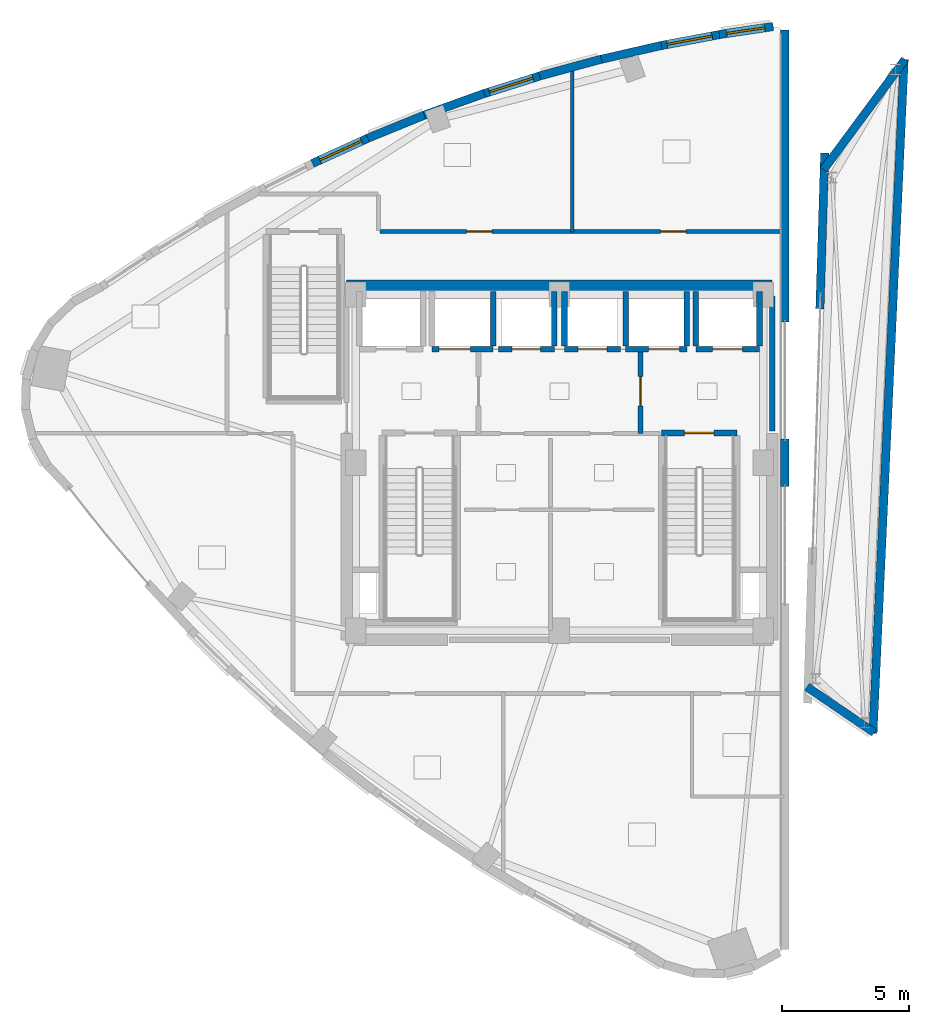
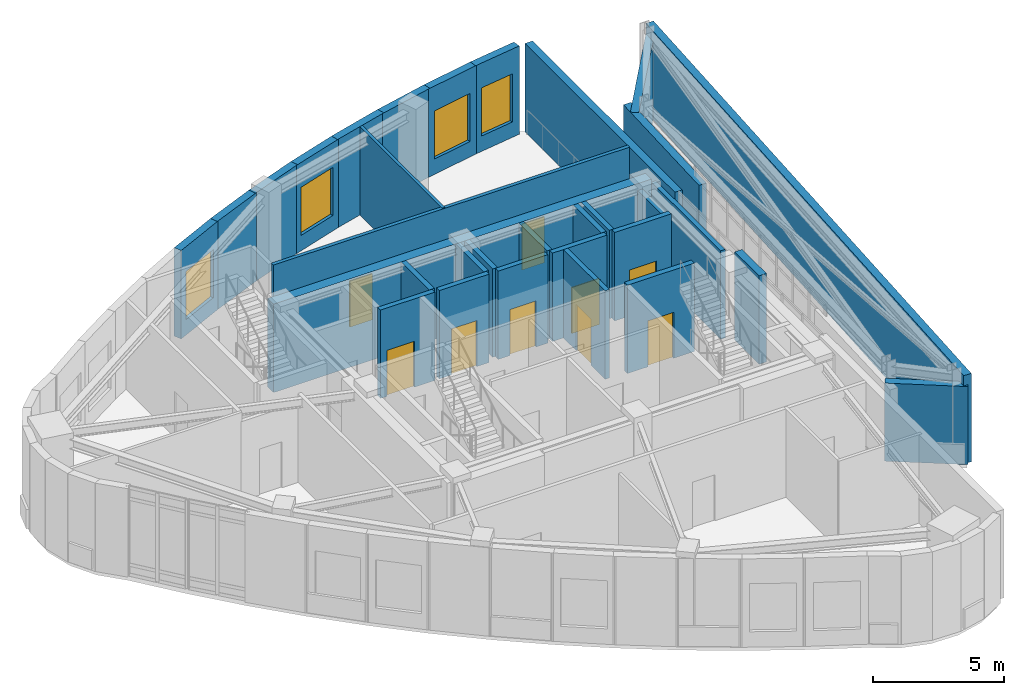
# One storey, part 15 of 19: 32 walls, 9 doors, 4 windows, 13 openings.
"""IFC4 building model written with IfcOpenShell, lengths in metres."""

import ifcopenshell
import ifcopenshell.guid

model = None  # the IFC model being written
_history = None  # IfcOwnerHistory: only IFC2X3 demands one
_inside = {}  # id of a spatial element -> (the spatial element, [elements in it])
_under = {}  # id of a project, library or spatial element -> (it, [spatial elements below it])
_declared = {}  # id of a project -> (the project, [libraries it declares])
_typed = {}  # id of a type object -> (the type object, [elements of that type])
_made_of = {}  # id of a material, layer set ... -> (it, [elements and type objects made of it])


def new_model(schema):
    """Start an empty IFC model of exactly this schema.

    Asked for "IFC4X3", IfcOpenShell would pick the latest addendum, in which some entities
    have other attributes; the version numbers below select the first issue.
    IFC2X3 requires an IfcOwnerHistory on every rooted entity: one is made here for all.
    """
    global model, _history
    if schema == "IFC4X3":
        model = ifcopenshell.file(schema_version=(4, 3, 0, 0))
    else:
        model = ifcopenshell.file(schema=schema)
    _inside.clear()
    _under.clear()
    _declared.clear()
    _typed.clear()
    _made_of.clear()
    _history = None
    if model.schema == "IFC2X3":
        org = make("IfcOrganization", Name="unknown")
        user = make(
            "IfcPersonAndOrganization",
            ThePerson=make("IfcPerson", FamilyName="unknown"),
            TheOrganization=org,
        )
        app = make(
            "IfcApplication",
            ApplicationDeveloper=org,
            Version="unknown",
            ApplicationFullName="unknown",
            ApplicationIdentifier="unknown",
        )
        _history = make(
            "IfcOwnerHistory",
            OwningUser=user,
            OwningApplication=app,
            ChangeAction="ADDED",
            CreationDate=0,
        )
    return model


def make(cls, **values):
    """One entity of the class cls with the attributes given. An attribute that is None is left unset."""
    return model.create_entity(
        cls, **{name: value for name, value in values.items() if value is not None}
    )


def rooted(cls, **values):
    """An entity with a GlobalId (a new one), such as an element, a storey or a relation."""
    return make(cls, GlobalId=ifcopenshell.guid.new(), OwnerHistory=_history, **values)


def si_unit(unit_type, name, prefix=None):
    """IfcSIUnit, for example si_unit("LENGTHUNIT", "METRE", prefix="MILLI")."""
    return make("IfcSIUnit", UnitType=unit_type, Prefix=prefix, Name=name)


def assignment(units):
    """IfcUnitAssignment: the units of a project."""
    return None if units is None else make("IfcUnitAssignment", Units=units)


def point(xyz):
    """IfcCartesianPoint."""
    return None if xyz is None else make("IfcCartesianPoint", Coordinates=xyz)


def direction(xyz):
    """IfcDirection."""
    return None if xyz is None else make("IfcDirection", DirectionRatios=xyz)


def frame(location, z_axis=None, x_axis=None):
    """IfcAxis2Placement3D, a coordinate frame: its origin and axes. An axis left out is left unset."""
    return make(
        "IfcAxis2Placement3D",
        Location=point(location),
        Axis=direction(z_axis),
        RefDirection=direction(x_axis),
    )


def frame_2d(location, x_axis=None):
    """IfcAxis2Placement2D, a coordinate frame in the plane: its origin and x axis."""
    return make(
        "IfcAxis2Placement2D", Location=point(location), RefDirection=direction(x_axis)
    )


def origin():
    """The frame at (0, 0, 0) with its axes left unset."""
    return frame((0.0, 0.0, 0.0))


def place(relative_to, where):
    """IfcLocalPlacement: puts the frame where relative to a parent placement (None: the world)."""
    return make(
        "IfcLocalPlacement", PlacementRelTo=relative_to, RelativePlacement=where
    )


def context(
    kind, dimensions, precision=None, world=None, true_north=None, identifier=None
):
    """IfcGeometricRepresentationContext, for example the 3D "Model" context."""
    return make(
        "IfcGeometricRepresentationContext",
        ContextIdentifier=identifier,
        ContextType=kind,
        CoordinateSpaceDimension=dimensions,
        Precision=precision,
        WorldCoordinateSystem=world,
        TrueNorth=true_north,
    )


def subcontext(parent, identifier, kind, view, scale=None):
    """IfcGeometricRepresentationSubContext, for example "Body" below "Model"."""
    return make(
        "IfcGeometricRepresentationSubContext",
        ContextIdentifier=identifier,
        ContextType=kind,
        ParentContext=parent,
        TargetScale=scale,
        TargetView=view,
    )


def project(units=None, contexts=None):
    """IfcProject with its units and contexts."""
    return rooted(
        "IfcProject",
        Name="project",
        RepresentationContexts=contexts,
        UnitsInContext=assignment(units),
    )


def spatial(cls, under=None, at=None, **own):
    """A site, building, storey or space (cls), placed at a placement, below another one or the project."""
    s = rooted(cls, ObjectPlacement=at, **own)
    if under is not None:
        _under.setdefault(under.id(), (under, []))[1].append(s)
    return s


def profile(cls, at=None, kind="AREA", **sizes):
    """A parametric profile (cls). Its sizes go by their IFC names, for example OverallWidth=200.0."""
    return make(cls, ProfileType=kind, Position=at, **sizes)


def rectangle(**sizes):
    """IfcRectangleProfileDef."""
    return profile("IfcRectangleProfileDef", **sizes)


def extrude(swept, where, along, depth):
    """IfcExtrudedAreaSolid: the profile swept, set in the frame where, extruded along a direction by depth."""
    return make(
        "IfcExtrudedAreaSolid",
        SweptArea=swept,
        Position=where,
        ExtrudedDirection=direction(along),
        Depth=depth,
    )


def shape(context_of_items, identifier, shape_type, items):
    """IfcShapeRepresentation: the items that make up one representation, for example the "Body"."""
    return make(
        "IfcShapeRepresentation",
        ContextOfItems=context_of_items,
        RepresentationIdentifier=identifier,
        RepresentationType=shape_type,
        Items=items,
    )


def material(Name=None, Category=None):
    """IfcMaterial."""
    return make("IfcMaterial", Name=Name, Category=Category)


def layer(
    of_material, thickness, ventilated=None, Name=None, Category=None, Priority=None
):
    """IfcMaterialLayer: one layer of a wall or slab, of a material (None: an air gap)."""
    return make(
        "IfcMaterialLayer",
        Material=of_material,
        LayerThickness=thickness,
        IsVentilated=ventilated,
        Name=Name,
        Category=Category,
        Priority=Priority,
    )


def layer_set(layers, Name=None):
    """IfcMaterialLayerSet."""
    return make("IfcMaterialLayerSet", MaterialLayers=layers, LayerSetName=Name)


def made_of(thing, what):
    """Note that an element or type object is made of a material, layer set ...; save() writes the relation."""
    if what is not None:
        _made_of.setdefault(what.id(), (what, []))[1].append(thing)
    return thing


def type_object(cls, material=None, **own):
    """A type object (cls), such as IfcWallType, which elements share."""
    return made_of(rooted(cls, **own), material)


def element(
    cls,
    number,
    at=None,
    inside=None,
    cuts=None,
    type_object=None,
    material=None,
    context=None,
    identifier="Body",
    shape_type=None,
    held_by="IfcProductDefinitionShape",
    body=None,
    shapes=None,
    **own,
):
    """One element of the class cls, such as IfcWall. Its Tag is "e" and its number.

    at: its placement. inside: the storey or other place that contains it. cuts: it is an
    opening in that element (IfcRelVoidsElement). A single representation is given by context,
    identifier, shape_type and body (its items); several are given by shapes. held_by: the class
    of the entity that holds the representations. save() writes the other relations.
    """
    e = rooted(cls, Tag="e%d" % number, ObjectPlacement=at, **own)
    if body is not None:
        shapes = [shape(context, identifier, shape_type, body)]
    if shapes is not None:
        e.Representation = make(held_by, Representations=shapes)
    if inside is not None:
        _inside.setdefault(inside.id(), (inside, []))[1].append(e)
    if cuts is not None:
        rooted(
            "IfcRelVoidsElement", RelatingBuildingElement=cuts, RelatedOpeningElement=e
        )
    if type_object is not None:
        _typed.setdefault(type_object.id(), (type_object, []))[1].append(e)
    return made_of(e, material)


def fill(opening, filler):
    """IfcRelFillsElement: the door or window that sits in an opening."""
    return rooted(
        "IfcRelFillsElement",
        RelatingOpeningElement=opening,
        RelatedBuildingElement=filler,
    )


def aggregate(whole, parts):
    """IfcRelAggregates: a whole, such as a stair, and the parts it consists of."""
    return rooted("IfcRelAggregates", RelatingObject=whole, RelatedObjects=parts)


def save(model, path):
    """Write the relations noted so far, then the file.

    IfcRelAggregates (storeys below a building ...), IfcRelContainedInSpatialStructure (elements
    in a storey), IfcRelDefinesByType, IfcRelAssociatesMaterial and IfcRelDeclares: one each for
    every whole, place, type object, material and project.
    """
    for whole, parts in _under.values():
        aggregate(whole, parts)
    for where, things in _inside.values():
        rooted(
            "IfcRelContainedInSpatialStructure",
            RelatedElements=things,
            RelatingStructure=where,
        )
    for kind, things in _typed.values():
        rooted("IfcRelDefinesByType", RelatedObjects=things, RelatingType=kind)
    for what, things in _made_of.values():
        rooted("IfcRelAssociatesMaterial", RelatedObjects=things, RelatingMaterial=what)
    for by, libraries in _declared.values():
        rooted("IfcRelDeclares", RelatingContext=by, RelatedDefinitions=libraries)
    model.write(path)


model = new_model("IFC4")

# Units and contexts
model_context = context("Model", 3, precision=1e-05, world=origin(), true_north=direction((0.0, 1.0)))
body_context = subcontext(model_context, "Body", "Model", "MODEL_VIEW")
ifc_project = project(units=[si_unit("LENGTHUNIT", "METRE"), si_unit("AREAUNIT", "SQUARE_METRE"), si_unit("VOLUMEUNIT", "CUBIC_METRE"), si_unit("PLANEANGLEUNIT", "RADIAN"), si_unit("MASSUNIT", "GRAM", prefix="KILO")], contexts=[model_context])

# Site, building, storey
site_placement = place(None, origin())
site = spatial("IfcSite", under=ifc_project, at=site_placement, CompositionType="ELEMENT")
building_placement = place(site_placement, origin())
building = spatial("IfcBuilding", under=site, at=building_placement, Name="Ndelora Gate Hotel", CompositionType="ELEMENT")
storey_placement = place(building_placement, frame((0.0, 0.0, 286.0)))
storey = spatial("IfcBuildingStorey", under=building, at=storey_placement, Name="L71", CompositionType="ELEMENT", Elevation=286.0)

# Walls
ifc_material_1 = material(Name="Clay Brick Masonry", Category="masonry")
ifc_layer_1 = layer(ifc_material_1, 0.330078125)
ifc_layer_set_1 = layer_set([ifc_layer_1], Name="Clay Brick Masonry")
wall_type_1 = type_object("IfcWallType", Name="WL-BRICK-330", PredefinedType="SOLIDWALL", material=ifc_layer_set_1)
wall_1_placement = place(storey_placement, frame((8.85009765625, 0.929931640625, 0.0), z_axis=(0.0, 0.0, 1.0), x_axis=(0.0, -1.0, 0.0)))
element("IfcWall", 1, at=wall_1_placement, inside=storey, type_object=wall_type_1, Name="L71 West Crown Canyon Brick Pier 2", PredefinedType="SOLIDWALL", context=body_context, shape_type="SweptSolid", body=[
    extrude(rectangle(XDim=1.85986328125, YDim=0.330078125, at=frame_2d((0.929931640625, 0.0))), origin(), (0.0, 0.0, 1.0), 4.1298828125),
])
wall_2_placement = place(storey_placement, frame((8.85009765625, 16.986572265625, 0.0), z_axis=(0.0, 0.0, 1.0), x_axis=(0.0, -1.0, 0.0)))
element("IfcWall", 2, at=wall_2_placement, inside=storey, type_object=wall_type_1, Name="L71 West Crown Canyon Brick Pier 3", PredefinedType="SOLIDWALL", context=body_context, shape_type="SweptSolid", body=[
    extrude(rectangle(XDim=11.466552734375, YDim=0.330078125, at=frame_2d((5.7333984375, 0.0))), origin(), (0.0, 0.0, 1.0), 4.1298828125),
])
wall_3_placement = place(storey_placement, frame((10.220703125, 6.041015625, 0.0), z_axis=(0.0, 0.0, 1.0), x_axis=(0.031147484759, 0.999514799387, 0.0)))
element("IfcWall", 3, at=wall_3_placement, inside=storey, type_object=wall_type_1, Name="L71 East Crown Canyon Brick Pier 2", PredefinedType="SOLIDWALL", context=body_context, shape_type="SweptSolid", body=[
    extrude(rectangle(XDim=6.11376953125, YDim=0.330078125, at=frame_2d((3.056884765625, 0.0))), origin(), (0.0, 0.0, 1.0), 3.64990234375),
])

# Wall, opening, window
wall_4_placement = place(storey_placement, frame((6.27734375, 16.80419921875, 0.0), z_axis=(0.0, 0.0, 1.0), x_axis=(0.989170885367, 0.146768387409, 0.0)))
wall_4 = element("IfcWall", 4, at=wall_4_placement, inside=storey, type_object=wall_type_1, Name="L71 Tower Brick Pier-and-Spandrel Wall WPK-52", PredefinedType="SOLIDWALL", context=body_context, shape_type="SweptSolid", body=[
    extrude(rectangle(XDim=2.13427734375, YDim=0.330078125, at=frame_2d((1.067138671875, 0.0))), origin(), (0.0, 0.0, 1.0), 4.1298828125),
])
opening_1_placement = place(wall_4_placement, frame((0.281982421875, 0.0, 0.719970703125)))
opening_1 = element("IfcOpeningElement", 5, at=opening_1_placement, cuts=wall_4, Name="Opening W06", PredefinedType="OPENING", context=body_context, shape_type="SweptSolid", body=[
    extrude(rectangle(XDim=1.510009765625, YDim=2.25, at=frame_2d((0.7548828125, 1.125))), frame((0.0, 0.175048828125, 0.0), z_axis=(0.0, -1.0, 0.0), x_axis=(1.0, 0.0, 0.0)), (0.0, 0.0, 1.0), 0.35009765625),
])
ifc_material_2 = material(Name="Insulated Low-E Double Glazing in Bronze Aluminium Frame", Category="aluminium")
window_type = type_object("IfcWindowType", Name="WN-OBS-1800", PartitioningType="SINGLE_PANEL", PredefinedType="WINDOW", material=ifc_material_2)
window_1_placement = place(opening_1_placement, origin())
window_1 = element("IfcWindow", 6, at=window_1_placement, inside=storey, type_object=window_type, Name="L71 Deep-Set Brick-Pier Window W06", OverallHeight=2.25, OverallWidth=1.510009765625, PartitioningType="SINGLE_PANEL", PredefinedType="WINDOW", context=body_context, shape_type="SweptSolid", body=[
    extrude(rectangle(XDim=1.510009765625, YDim=2.25, at=frame_2d((0.7548828125, 1.125))), frame((0.0, 0.030029296875, 0.0), z_axis=(0.0, -1.0, 0.0), x_axis=(1.0, 0.0, 0.0)), (0.0, 0.0, 1.0), 0.06005859375),
])
fill(opening_1, window_1)

wall_5_placement = place(storey_placement, frame((3.890869140625, 16.352294921875, 0.0), z_axis=(0.0, 0.0, 1.0), x_axis=(0.982698658406, 0.185211626978, 0.0)))
wall_5 = element("IfcWall", 7, at=wall_5_placement, inside=storey, type_object=wall_type_1, Name="L71 Tower Brick Pier-and-Spandrel Wall WPK-53", PredefinedType="SOLIDWALL", context=body_context, shape_type="SweptSolid", body=[
    extrude(rectangle(XDim=2.538818359375, YDim=0.330078125, at=frame_2d((1.26953125, 0.0))), origin(), (0.0, 0.0, 1.0), 4.1298828125),
])
opening_2_placement = place(wall_5_placement, frame((0.33935546875, 0.0, 0.719970703125)))
opening_2 = element("IfcOpeningElement", 8, at=opening_2_placement, cuts=wall_5, Name="Opening W06", PredefinedType="OPENING", context=body_context, shape_type="SweptSolid", body=[
    extrude(rectangle(XDim=1.800048828125, YDim=2.25, at=frame_2d((0.89990234375, 1.125))), frame((0.0, 0.175048828125, 0.0), z_axis=(0.0, -1.0, 0.0), x_axis=(1.0, 0.0, 0.0)), (0.0, 0.0, 1.0), 0.35009765625),
])
window_2_placement = place(opening_2_placement, origin())
window_2 = element("IfcWindow", 9, at=window_2_placement, inside=storey, type_object=window_type, Name="L71 Deep-Set Brick-Pier Window W06", OverallHeight=2.25, OverallWidth=1.800048828125, PartitioningType="SINGLE_PANEL", PredefinedType="WINDOW", context=body_context, shape_type="SweptSolid", body=[
    extrude(rectangle(XDim=1.800048828125, YDim=2.25, at=frame_2d((0.89990234375, 1.125))), frame((0.0, 0.030029296875, 0.0), z_axis=(0.0, -1.0, 0.0), x_axis=(1.0, 0.0, 0.0)), (0.0, 0.0, 1.0), 0.06005859375),
])
fill(opening_2, window_2)

# Walls
wall_6_placement = place(storey_placement, frame((1.539306640625, 15.810302734375, 0.0), z_axis=(0.0, 0.0, 1.0), x_axis=(0.974635230038, 0.223799393138, 0.0)))
element("IfcWall", 10, at=wall_6_placement, inside=storey, type_object=wall_type_1, Name="L71 Tower Brick Pier-and-Spandrel Wall WPK-54", PredefinedType="SOLIDWALL", context=body_context, shape_type="SweptSolid", body=[
    extrude(rectangle(XDim=2.523193359375, YDim=0.330078125, at=frame_2d((1.26171875, 0.0))), origin(), (0.0, 0.0, 1.0), 4.1298828125),
])
wall_7_placement = place(storey_placement, frame((-0.777099609375, 15.177734375, 0.0), z_axis=(0.0, 0.0, 1.0), x_axis=(0.964907263861, 0.262590883596, 0.0)))
element("IfcWall", 11, at=wall_7_placement, inside=storey, type_object=wall_type_1, Name="L71 Tower Brick Pier-and-Spandrel Wall WPK-55", PredefinedType="SOLIDWALL", context=body_context, shape_type="SweptSolid", body=[
    extrude(rectangle(XDim=2.51123046875, YDim=0.330078125, at=frame_2d((1.255615234375, 0.0))), origin(), (0.0, 0.0, 1.0), 4.1298828125),
])

# Wall, opening, window
wall_8_placement = place(storey_placement, frame((-3.05859375, 14.454833984375, 0.0), z_axis=(0.0, 0.0, 1.0), x_axis=(0.953576769374, 0.301150037209, 0.0)))
wall_8 = element("IfcWall", 12, at=wall_8_placement, inside=storey, type_object=wall_type_1, Name="L71 Tower Brick Pier-and-Spandrel Wall WPK-56", PredefinedType="SOLIDWALL", context=body_context, shape_type="SweptSolid", body=[
    extrude(rectangle(XDim=2.50341796875, YDim=0.330078125, at=frame_2d((1.251708984375, 0.0))), origin(), (0.0, 0.0, 1.0), 4.1298828125),
])
opening_3_placement = place(wall_8_placement, frame((0.321533203125, 0.0, 0.719970703125)))
opening_3 = element("IfcOpeningElement", 13, at=opening_3_placement, cuts=wall_8, Name="Opening W06", PredefinedType="OPENING", context=body_context, shape_type="SweptSolid", body=[
    extrude(rectangle(XDim=1.800048828125, YDim=2.25, at=frame_2d((0.89990234375, 1.125))), frame((0.0, 0.175048828125, 0.0), z_axis=(0.0, -1.0, 0.0), x_axis=(1.0, 0.0, 0.0)), (0.0, 0.0, 1.0), 0.35009765625),
])
window_3_placement = place(opening_3_placement, origin())
window_3 = element("IfcWindow", 14, at=window_3_placement, inside=storey, type_object=window_type, Name="L71 Deep-Set Brick-Pier Window W06", OverallHeight=2.25, OverallWidth=1.800048828125, PartitioningType="SINGLE_PANEL", PredefinedType="WINDOW", context=body_context, shape_type="SweptSolid", body=[
    extrude(rectangle(XDim=1.800048828125, YDim=2.25, at=frame_2d((0.89990234375, 1.125))), frame((0.0, 0.030029296875, 0.0), z_axis=(0.0, -1.0, 0.0), x_axis=(1.0, 0.0, 0.0)), (0.0, 0.0, 1.0), 0.06005859375),
])
fill(opening_3, window_3)

# Walls
for number, where, z_axis, x_axis, name in (
    (15, (-5.30517578125, 13.6416015625, 0.0), (0.0, 0.0, 1.0), (0.940589433812, 0.33954604548, 0.0), "L71 Tower Brick Pier-and-Spandrel Wall WPK-57"),
    (16, (-7.51708984375, 12.73779296875, 0.0), (0.0, 0.0, 1.0), (0.926065809797, 0.377362048866, 0.0), "L71 Tower Brick Pier-and-Spandrel Wall WPK-58"),
):
    element("IfcWall", number, at=place(storey_placement, frame(where, z_axis=z_axis, x_axis=x_axis)), inside=storey, type_object=wall_type_1, Name=name, PredefinedType="SOLIDWALL", context=body_context, shape_type="SweptSolid", body=[
        extrude(rectangle(XDim=2.499267578125, YDim=0.330078125, at=frame_2d((1.24951171875, 0.0))), origin(), (0.0, 0.0, 1.0), 4.1298828125),
    ])

# Wall, opening, window
wall_9_placement = place(storey_placement, frame((-9.694091796875, 11.743896484375, 0.0), z_axis=(0.0, 0.0, 1.0), x_axis=(0.910048904543, 0.414500894257, 0.0)))
wall_9 = element("IfcWall", 17, at=wall_9_placement, inside=storey, type_object=wall_type_1, Name="L71 Tower Brick Pier-and-Spandrel Wall WPK-59", PredefinedType="SOLIDWALL", context=body_context, shape_type="SweptSolid", body=[
    extrude(rectangle(XDim=2.503173828125, YDim=0.330078125, at=frame_2d((1.25146484375, 0.0))), origin(), (0.0, 0.0, 1.0), 4.1298828125),
])
opening_4_placement = place(wall_9_placement, frame((0.321533203125, 0.0, 0.719970703125)))
opening_4 = element("IfcOpeningElement", 18, at=opening_4_placement, cuts=wall_9, Name="Opening W06", PredefinedType="OPENING", context=body_context, shape_type="SweptSolid", body=[
    extrude(rectangle(XDim=1.800048828125, YDim=2.25, at=frame_2d((0.89990234375, 1.125))), frame((0.0, 0.175048828125, 0.0), z_axis=(0.0, -1.0, 0.0), x_axis=(1.0, 0.0, 0.0)), (0.0, 0.0, 1.0), 0.35009765625),
])
window_4_placement = place(opening_4_placement, origin())
window_4 = element("IfcWindow", 19, at=window_4_placement, inside=storey, type_object=window_type, Name="L71 Deep-Set Brick-Pier Window W06", OverallHeight=2.25, OverallWidth=1.800048828125, PartitioningType="SINGLE_PANEL", PredefinedType="WINDOW", context=body_context, shape_type="SweptSolid", body=[
    extrude(rectangle(XDim=1.800048828125, YDim=2.25, at=frame_2d((0.89990234375, 1.125))), frame((0.0, 0.030029296875, 0.0), z_axis=(0.0, -1.0, 0.0), x_axis=(1.0, 0.0, 0.0)), (0.0, 0.0, 1.0), 0.06005859375),
])
fill(opening_4, window_4)

# Walls
wall_10_placement = place(storey_placement, frame((12.352294921875, -10.593017578125, 0.0), z_axis=(0.0, 0.0, 1.0), x_axis=(-0.82687387766, 0.562387402459, 0.0)))
element("IfcWall", 20, at=wall_10_placement, inside=storey, type_object=wall_type_1, Name="L71 Tower Brick Pier-and-Spandrel Wall EPK-1", PredefinedType="SOLIDWALL", context=body_context, shape_type="SweptSolid", body=[
    extrude(rectangle(XDim=3.19287109375, YDim=0.330078125, at=frame_2d((1.596435546875, 0.0))), origin(), (0.0, 0.0, 1.0), 3.64990234375),
])
wall_11_placement = place(storey_placement, frame((13.529541015625, 15.833251953125, 0.0), z_axis=(0.0, 0.0, 1.0), x_axis=(-0.046267121777, -0.998929103311, 0.0)))
element("IfcWall", 21, at=wall_11_placement, inside=storey, type_object=wall_type_1, Name="L71 Tower Brick Pier-and-Spandrel Wall EPK-2", PredefinedType="SOLIDWALL", context=body_context, shape_type="SweptSolid", body=[
    extrude(rectangle(XDim=26.478759765625, YDim=0.330078125, at=frame_2d((13.2392578125, 0.0))), origin(), (0.0, 0.0, 1.0), 4.1298828125),
])
wall_12_placement = place(storey_placement, frame((10.359375, 11.49658203125, 0.0), z_axis=(0.0, 0.0, 1.0), x_axis=(0.594753293949, 0.803908277938, 0.0)))
element("IfcWall", 22, at=wall_12_placement, inside=storey, type_object=wall_type_1, Name="L71 Tower Brick Pier-and-Spandrel Wall EPK-3", PredefinedType="SOLIDWALL", context=body_context, shape_type="SweptSolid", body=[
    extrude(rectangle(XDim=5.381103515625, YDim=0.330078125, at=frame_2d((2.6904296875, 0.0))), origin(), (0.0, 0.0, 1.0), 3.64990234375),
])
ifc_material_3 = material(Name="Concrete C50/60", Category="concrete")
ifc_layer_2 = layer(ifc_material_3, 0.449951171875)
ifc_layer_set_2 = layer_set([ifc_layer_2], Name="Concrete C50/60")
wall_type_2 = type_object("IfcWallType", Name="WL-CORE-450", PredefinedType="SHEAR", material=ifc_layer_set_2)
wall_13_placement = place(storey_placement, frame((-8.35009765625, 6.949951171875, 0.0), z_axis=(0.0, 0.0, 1.0), x_axis=(1.0, 0.0, 0.0)))
element("IfcWall", 23, at=wall_13_placement, inside=storey, type_object=wall_type_2, Name="L71 Core Shear Wall N", PredefinedType="SHEAR", context=body_context, shape_type="SweptSolid", body=[
    extrude(rectangle(XDim=16.7001953125, YDim=0.449951171875, at=frame_2d((8.35009765625, 0.0))), origin(), (0.0, 0.0, 1.0), 4.1298828125),
])

# Wall, opening, door
ifc_material_4 = material(Name="Concrete C40/50", Category="concrete")
ifc_layer_3 = layer(ifc_material_4, 0.199951171875)
ifc_layer_set_3 = layer_set([ifc_layer_3], Name="Concrete C40/50")
wall_type_3 = type_object("IfcWallType", Name="WL-FIRE-200", PredefinedType="PARTITIONING", material=ifc_layer_set_3)
wall_14_placement = place(storey_placement, frame((3.179931640625, 1.14990234375, 0.0), z_axis=(0.0, 0.0, 1.0), x_axis=(0.0, 1.0, 0.0)))
wall_14 = element("IfcWall", 24, at=wall_14_placement, inside=storey, type_object=wall_type_3, Name="L71 Interior Wall IW-2", PredefinedType="PARTITIONING", context=body_context, shape_type="SweptSolid", body=[
    extrude(rectangle(XDim=3.300048828125, YDim=0.199951171875, at=frame_2d((1.64990234375, 0.0))), origin(), (0.0, 0.0, 1.0), 4.1298828125),
])
opening_5_placement = place(wall_14_placement, frame((1.080078125, 0.0, 0.0)))
opening_5 = element("IfcOpeningElement", 25, at=opening_5_placement, cuts=wall_14, Name="Opening FD1", PredefinedType="OPENING", context=body_context, shape_type="SweptSolid", body=[
    extrude(rectangle(XDim=1.14990234375, YDim=2.14990234375, at=frame_2d((0.574951171875, 1.074951171875))), frame((0.0, 0.10986328125, 0.0), z_axis=(0.0, -1.0, 0.0), x_axis=(1.0, 0.0, 0.0)), (0.0, 0.0, 1.0), 0.219970703125),
])
ifc_material_5 = material(Name="Fire-Rated Timber-Veneer Steel Core", Category="steel")
door_type_1 = type_object("IfcDoorType", Name="DR-FD60", OperationType="SINGLE_SWING_LEFT", PredefinedType="DOOR", material=ifc_material_5)
door_1_placement = place(opening_5_placement, origin())
door_1 = element("IfcDoor", 26, at=door_1_placement, inside=storey, type_object=door_type_1, Name="L71 Firefighting Lobby East Door", OperationType="SINGLE_SWING_LEFT", OverallHeight=2.14990234375, OverallWidth=1.14990234375, PredefinedType="DOOR", context=body_context, shape_type="SweptSolid", body=[
    extrude(rectangle(XDim=1.14990234375, YDim=2.14990234375, at=frame_2d((0.574951171875, 1.074951171875))), frame((0.0, 0.02490234375, 0.0), z_axis=(0.0, -1.0, 0.0), x_axis=(1.0, 0.0, 0.0)), (0.0, 0.0, 1.0), 0.050048828125),
])
fill(opening_5, door_1)

# Wall
wall_15_placement = place(storey_placement, frame((8.35009765625, 1.25, 0.0), z_axis=(0.0, 0.0, 1.0), x_axis=(0.0, 1.0, 0.0)))
element("IfcWall", 27, at=wall_15_placement, inside=storey, type_object=wall_type_3, Name="L71 Interior Wall IW-2", PredefinedType="PARTITIONING", context=body_context, shape_type="SweptSolid", body=[
    extrude(rectangle(XDim=5.300048828125, YDim=0.199951171875, at=frame_2d((2.64990234375, 0.0))), origin(), (0.0, 0.0, 1.0), 4.1298828125),
])

# Wall, openings, doors
ifc_material_6 = material(Name="Fire-Rated Gypsum Stud Partition", Category="gypsum")
ifc_layer_4 = layer(ifc_material_6, 0.159912109375)
ifc_layer_set_4 = layer_set([ifc_layer_4], Name="Fire-Rated Gypsum Stud Partition")
wall_type_4 = type_object("IfcWallType", Name="WL-PART-160", PredefinedType="PARTITIONING", material=ifc_layer_set_4)
wall_16_placement = place(storey_placement, frame((8.699951171875, 9.070068359375, 0.0), z_axis=(0.0, 0.0, 1.0), x_axis=(-1.0, 0.0, 0.0)))
wall_16 = element("IfcWall", 28, at=wall_16_placement, inside=storey, type_object=wall_type_4, Name="L71 Interior Wall IW-4", PredefinedType="PARTITIONING", context=body_context, shape_type="SweptSolid", body=[
    extrude(rectangle(XDim=15.75, YDim=0.159912109375, at=frame_2d((7.875, 0.0))), origin(), (0.0, 0.0, 1.0), 4.1298828125),
])
opening_6_placement = place(wall_16_placement, frame((11.344970703125, 0.0, 0.0)))
opening_6 = element("IfcOpeningElement", 29, at=opening_6_placement, cuts=wall_16, Name="Opening D01", PredefinedType="OPENING", context=body_context, shape_type="SweptSolid", body=[
    extrude(rectangle(XDim=1.0, YDim=2.14990234375, at=frame_2d((0.5, 1.074951171875))), frame((0.0, 0.08984375, 0.0), z_axis=(0.0, -1.0, 0.0), x_axis=(1.0, 0.0, 0.0)), (0.0, 0.0, 1.0), 0.179931640625),
])
opening_7_placement = place(wall_16_placement, frame((3.72998046875, 0.0, 0.0)))
opening_7 = element("IfcOpeningElement", 30, at=opening_7_placement, cuts=wall_16, Name="Opening D01", PredefinedType="OPENING", context=body_context, shape_type="SweptSolid", body=[
    extrude(rectangle(XDim=1.0, YDim=2.14990234375, at=frame_2d((0.5, 1.074951171875))), frame((0.0, 0.08984375, 0.0), z_axis=(0.0, -1.0, 0.0), x_axis=(1.0, 0.0, 0.0)), (0.0, 0.0, 1.0), 0.179931640625),
])
ifc_material_7 = material(Name="Acoustic Hardwood Guest Entrance Door", Category="wood")
door_type_2 = type_object("IfcDoorType", Name="DR-COR-1000", OperationType="SINGLE_SWING_LEFT", PredefinedType="DOOR", material=ifc_material_7)
door_2_placement = place(opening_6_placement, origin())
door_2 = element("IfcDoor", 31, at=door_2_placement, inside=storey, type_object=door_type_2, Name="L71 Horizon Observation Deck Door", OperationType="SINGLE_SWING_LEFT", OverallHeight=2.14990234375, OverallWidth=1.0, PredefinedType="DOOR", context=body_context, shape_type="SweptSolid", body=[
    extrude(rectangle(XDim=1.0, YDim=2.14990234375, at=frame_2d((0.5, 1.074951171875))), frame((0.0, 0.02490234375, 0.0), z_axis=(0.0, -1.0, 0.0), x_axis=(1.0, 0.0, 0.0)), (0.0, 0.0, 1.0), 0.050048828125),
])
fill(opening_6, door_2)
door_3_placement = place(opening_7_placement, origin())
door_3 = element("IfcDoor", 32, at=door_3_placement, inside=storey, type_object=door_type_2, Name="L71 Summit Heritage Museum Room Door", OperationType="SINGLE_SWING_RIGHT", OverallHeight=2.14990234375, OverallWidth=1.0, PredefinedType="DOOR", context=body_context, shape_type="SweptSolid", body=[
    extrude(rectangle(XDim=1.0, YDim=2.14990234375, at=frame_2d((0.5, 1.074951171875))), frame((0.0, 0.02490234375, 0.0), z_axis=(0.0, -1.0, 0.0), x_axis=(1.0, 0.0, 0.0)), (0.0, 0.0, 1.0), 0.050048828125),
])
fill(opening_7, door_3)

# Wall, opening, door
ifc_layer_5 = layer(ifc_material_4, 0.219970703125)
ifc_layer_set_5 = layer_set([ifc_layer_5], Name="Concrete C40/50")
wall_type_5 = type_object("IfcWallType", Name="WL-SHAFT-220", PredefinedType="PARTITIONING", material=ifc_layer_set_5)
wall_17_placement = place(storey_placement, frame((5.35009765625, 4.449951171875, 0.0), z_axis=(0.0, 0.0, 1.0), x_axis=(1.0, 0.0, 0.0)))
wall_17 = element("IfcWall", 33, at=wall_17_placement, inside=storey, type_object=wall_type_5, Name="L71 Interior Wall IW-1", PredefinedType="PARTITIONING", context=body_context, shape_type="SweptSolid", body=[
    extrude(rectangle(XDim=2.5, YDim=0.219970703125, at=frame_2d((1.25, 0.0))), origin(), (0.0, 0.0, 1.0), 4.1298828125),
])
opening_8_placement = place(wall_17_placement, frame((0.659912109375, 0.0, 0.0)))
opening_8 = element("IfcOpeningElement", 34, at=opening_8_placement, cuts=wall_17, Name="Opening LD5", PredefinedType="OPENING", context=body_context, shape_type="SweptSolid", body=[
    extrude(rectangle(XDim=1.179931640625, YDim=2.14990234375, at=frame_2d((0.58984375, 1.074951171875))), frame((0.0, 0.1201171875, 0.0), z_axis=(0.0, -1.0, 0.0), x_axis=(1.0, 0.0, 0.0)), (0.0, 0.0, 1.0), 0.239990234375),
])
ifc_material_8 = material(Name="Firefighting Lift Stainless Sliding Landing Door", Category="metal")
door_type_3 = type_object("IfcDoorType", Name="DR-LD5", OperationType="DOUBLE_DOOR_SLIDING", PredefinedType="DOOR", material=ifc_material_8)
door_4_placement = place(opening_8_placement, origin())
door_4 = element("IfcDoor", 35, at=door_4_placement, inside=storey, type_object=door_type_3, Name="L71 Lift Landing Sliding Door FFL2", OperationType="DOUBLE_DOOR_SLIDING", OverallHeight=2.14990234375, OverallWidth=1.179931640625, PredefinedType="DOOR", context=body_context, shape_type="SweptSolid", body=[
    extrude(rectangle(XDim=1.179931640625, YDim=2.14990234375, at=frame_2d((0.58984375, 1.074951171875))), frame((0.0, 0.02490234375, 0.0), z_axis=(0.0, -1.0, 0.0), x_axis=(1.0, 0.0, 0.0)), (0.0, 0.0, 1.0), 0.050048828125),
])
fill(opening_8, door_4)

# Walls
wall_18_placement = place(storey_placement, frame((5.35009765625, 4.570068359375, 0.0), z_axis=(0.0, 0.0, 1.0), x_axis=(0.0, 1.0, 0.0)))
element("IfcWall", 36, at=wall_18_placement, inside=storey, type_object=wall_type_5, Name="L71 Interior Wall IW-1", PredefinedType="PARTITIONING", context=body_context, shape_type="SweptSolid", body=[
    extrude(rectangle(XDim=2.155029296875, YDim=0.219970703125, at=frame_2d((1.07763671875, 0.0))), origin(), (0.0, 0.0, 1.0), 4.1298828125),
])
wall_19_placement = place(storey_placement, frame((7.85009765625, 4.570068359375, 0.0), z_axis=(0.0, 0.0, 1.0), x_axis=(0.0, 1.0, 0.0)))
element("IfcWall", 37, at=wall_19_placement, inside=storey, type_object=wall_type_5, Name="L71 Interior Wall IW-1", PredefinedType="PARTITIONING", context=body_context, shape_type="SweptSolid", body=[
    extrude(rectangle(XDim=2.155029296875, YDim=0.219970703125, at=frame_2d((1.07763671875, 0.0))), origin(), (0.0, 0.0, 1.0), 3.81005859375),
])

# Wall, opening, door
wall_20_placement = place(storey_placement, frame((-5.0, 4.449951171875, 0.0), z_axis=(0.0, 0.0, 1.0), x_axis=(1.0, 0.0, 0.0)))
wall_20 = element("IfcWall", 38, at=wall_20_placement, inside=storey, type_object=wall_type_5, Name="L71 Interior Wall IW-1", PredefinedType="PARTITIONING", context=body_context, shape_type="SweptSolid", body=[
    extrude(rectangle(XDim=2.39990234375, YDim=0.219970703125, at=frame_2d((1.199951171875, 0.0))), origin(), (0.0, 0.0, 1.0), 4.1298828125),
])
opening_9_placement = place(wall_20_placement, frame((0.280029296875, 0.0, 0.0)))
opening_9 = element("IfcOpeningElement", 39, at=opening_9_placement, cuts=wall_20, Name="Opening LD6", PredefinedType="OPENING", context=body_context, shape_type="SweptSolid", body=[
    extrude(rectangle(XDim=1.219970703125, YDim=2.14990234375, at=frame_2d((0.60986328125, 1.074951171875))), frame((0.0, 0.1201171875, 0.0), z_axis=(0.0, -1.0, 0.0), x_axis=(1.0, 0.0, 0.0)), (0.0, 0.0, 1.0), 0.239990234375),
])
ifc_material_9 = material(Name="Heavy-Duty Service Lift Sliding Landing Door", Category="wood")
door_type_4 = type_object("IfcDoorType", Name="DR-LD6", OperationType="DOUBLE_DOOR_SLIDING", PredefinedType="DOOR", material=ifc_material_9)
door_5_placement = place(opening_9_placement, origin())
door_5 = element("IfcDoor", 40, at=door_5_placement, inside=storey, type_object=door_type_4, Name="L71 Lift Landing Sliding Door SVL1", OperationType="DOUBLE_DOOR_SLIDING", OverallHeight=2.14990234375, OverallWidth=1.219970703125, PredefinedType="DOOR", context=body_context, shape_type="SweptSolid", body=[
    extrude(rectangle(XDim=1.219970703125, YDim=2.14990234375, at=frame_2d((0.60986328125, 1.074951171875))), frame((0.0, 0.02490234375, 0.0), z_axis=(0.0, -1.0, 0.0), x_axis=(1.0, 0.0, 0.0)), (0.0, 0.0, 1.0), 0.050048828125),
])
fill(opening_9, door_5)

# Wall
wall_21_placement = place(storey_placement, frame((-2.60009765625, 4.570068359375, 0.0), z_axis=(0.0, 0.0, 1.0), x_axis=(0.0, 1.0, 0.0)))
element("IfcWall", 41, at=wall_21_placement, inside=storey, type_object=wall_type_5, Name="L71 Interior Wall IW-1", PredefinedType="PARTITIONING", context=body_context, shape_type="SweptSolid", body=[
    extrude(rectangle(XDim=2.155029296875, YDim=0.219970703125, at=frame_2d((1.07763671875, 0.0))), origin(), (0.0, 0.0, 1.0), 4.1298828125),
])

# Wall, opening, door
wall_22_placement = place(storey_placement, frame((2.60009765625, 4.449951171875, 0.0), z_axis=(0.0, 0.0, 1.0), x_axis=(1.0, 0.0, 0.0)))
wall_22 = element("IfcWall", 42, at=wall_22_placement, inside=storey, type_object=wall_type_5, Name="L71 Interior Wall IW-1", PredefinedType="PARTITIONING", context=body_context, shape_type="SweptSolid", body=[
    extrude(rectangle(XDim=2.39990234375, YDim=0.219970703125, at=frame_2d((1.199951171875, 0.0))), origin(), (0.0, 0.0, 1.0), 4.1298828125),
])
opening_10_placement = place(wall_22_placement, frame((0.89990234375, 0.0, 0.0)))
opening_10 = element("IfcOpeningElement", 43, at=opening_10_placement, cuts=wall_22, Name="Opening LD6", PredefinedType="OPENING", context=body_context, shape_type="SweptSolid", body=[
    extrude(rectangle(XDim=1.219970703125, YDim=2.14990234375, at=frame_2d((0.60986328125, 1.074951171875))), frame((0.0, 0.1201171875, 0.0), z_axis=(0.0, -1.0, 0.0), x_axis=(1.0, 0.0, 0.0)), (0.0, 0.0, 1.0), 0.239990234375),
])
door_6_placement = place(opening_10_placement, origin())
door_6 = element("IfcDoor", 44, at=door_6_placement, inside=storey, type_object=door_type_4, Name="L71 Lift Landing Sliding Door SVL2", OperationType="DOUBLE_DOOR_SLIDING", OverallHeight=2.14990234375, OverallWidth=1.219970703125, PredefinedType="DOOR", context=body_context, shape_type="SweptSolid", body=[
    extrude(rectangle(XDim=1.219970703125, YDim=2.14990234375, at=frame_2d((0.60986328125, 1.074951171875))), frame((0.0, 0.02490234375, 0.0), z_axis=(0.0, -1.0, 0.0), x_axis=(1.0, 0.0, 0.0)), (0.0, 0.0, 1.0), 0.050048828125),
])
fill(opening_10, door_6)

# Walls
for number, where, z_axis, x_axis, name in (
    (45, (2.60009765625, 4.570068359375, 0.0), (0.0, 0.0, 1.0), (0.0, 1.0, 0.0), "L71 Interior Wall IW-1"),
    (46, (5.0, 4.570068359375, 0.0), (0.0, 0.0, 1.0), (0.0, 1.0, 0.0), "L71 Interior Wall IW-1"),
):
    element("IfcWall", number, at=place(storey_placement, frame(where, z_axis=z_axis, x_axis=x_axis)), inside=storey, type_object=wall_type_5, Name=name, PredefinedType="PARTITIONING", context=body_context, shape_type="SweptSolid", body=[
        extrude(rectangle(XDim=2.155029296875, YDim=0.219970703125, at=frame_2d((1.07763671875, 0.0))), origin(), (0.0, 0.0, 1.0), 4.1298828125),
    ])

# Wall, opening, door
wall_23_placement = place(storey_placement, frame((-2.39990234375, 4.449951171875, 0.0), z_axis=(0.0, 0.0, 1.0), x_axis=(1.0, 0.0, 0.0)))
wall_23 = element("IfcWall", 47, at=wall_23_placement, inside=storey, type_object=wall_type_5, Name="L71 Interior Wall IW-1", PredefinedType="PARTITIONING", context=body_context, shape_type="SweptSolid", body=[
    extrude(rectangle(XDim=2.199951171875, YDim=0.219970703125, at=frame_2d((1.10009765625, 0.0))), origin(), (0.0, 0.0, 1.0), 4.1298828125),
])
opening_11_placement = place(wall_23_placement, frame((0.5400390625, 0.0, 0.0)))
opening_11 = element("IfcOpeningElement", 48, at=opening_11_placement, cuts=wall_23, Name="Opening LD3", PredefinedType="OPENING", context=body_context, shape_type="SweptSolid", body=[
    extrude(rectangle(XDim=1.1201171875, YDim=2.14990234375, at=frame_2d((0.56005859375, 1.074951171875))), frame((0.0, 0.1201171875, 0.0), z_axis=(0.0, -1.0, 0.0), x_axis=(1.0, 0.0, 0.0)), (0.0, 0.0, 1.0), 0.239990234375),
])
ifc_material_10 = material(Name="Brushed Bronze Stainless Lift Landing Door", Category="metal")
door_type_5 = type_object("IfcDoorType", Name="DR-LD3", OperationType="DOUBLE_DOOR_SLIDING", PredefinedType="DOOR", material=ifc_material_10)
door_7_placement = place(opening_11_placement, origin())
door_7 = element("IfcDoor", 49, at=door_7_placement, inside=storey, type_object=door_type_5, Name="L71 Lift Landing Sliding Door P3A", OperationType="DOUBLE_DOOR_SLIDING", OverallHeight=2.14990234375, OverallWidth=1.1201171875, PredefinedType="DOOR", context=body_context, shape_type="SweptSolid", body=[
    extrude(rectangle(XDim=1.1201171875, YDim=2.14990234375, at=frame_2d((0.56005859375, 1.074951171875))), frame((0.0, 0.02490234375, 0.0), z_axis=(0.0, -1.0, 0.0), x_axis=(1.0, 0.0, 0.0)), (0.0, 0.0, 1.0), 0.050048828125),
])
fill(opening_11, door_7)

# Wall
wall_24_placement = place(storey_placement, frame((-0.199951171875, 4.570068359375, 0.0), z_axis=(0.0, 0.0, 1.0), x_axis=(0.0, 1.0, 0.0)))
element("IfcWall", 50, at=wall_24_placement, inside=storey, type_object=wall_type_5, Name="L71 Interior Wall IW-1", PredefinedType="PARTITIONING", context=body_context, shape_type="SweptSolid", body=[
    extrude(rectangle(XDim=2.155029296875, YDim=0.219970703125, at=frame_2d((1.07763671875, 0.0))), origin(), (0.0, 0.0, 1.0), 4.1298828125),
])

# Wall, opening, door
wall_25_placement = place(storey_placement, frame((0.199951171875, 4.449951171875, 0.0), z_axis=(0.0, 0.0, 1.0), x_axis=(1.0, 0.0, 0.0)))
wall_25 = element("IfcWall", 51, at=wall_25_placement, inside=storey, type_object=wall_type_5, Name="L71 Interior Wall IW-1", PredefinedType="PARTITIONING", context=body_context, shape_type="SweptSolid", body=[
    extrude(rectangle(XDim=2.199951171875, YDim=0.219970703125, at=frame_2d((1.10009765625, 0.0))), origin(), (0.0, 0.0, 1.0), 4.1298828125),
])
opening_12_placement = place(wall_25_placement, frame((0.530029296875, 0.0, 0.0)))
opening_12 = element("IfcOpeningElement", 52, at=opening_12_placement, cuts=wall_25, Name="Opening LD4", PredefinedType="OPENING", context=body_context, shape_type="SweptSolid", body=[
    extrude(rectangle(XDim=1.139892578125, YDim=2.14990234375, at=frame_2d((0.56982421875, 1.074951171875))), frame((0.0, 0.1201171875, 0.0), z_axis=(0.0, -1.0, 0.0), x_axis=(1.0, 0.0, 0.0)), (0.0, 0.0, 1.0), 0.239990234375),
])
door_type_6 = type_object("IfcDoorType", Name="DR-LD4", OperationType="DOUBLE_DOOR_SLIDING", PredefinedType="DOOR", material=ifc_material_10)
door_8_placement = place(opening_12_placement, origin())
door_8 = element("IfcDoor", 53, at=door_8_placement, inside=storey, type_object=door_type_6, Name="L71 Lift Landing Sliding Door EX1", OperationType="DOUBLE_DOOR_SLIDING", OverallHeight=2.14990234375, OverallWidth=1.139892578125, PredefinedType="DOOR", context=body_context, shape_type="SweptSolid", body=[
    extrude(rectangle(XDim=1.139892578125, YDim=2.14990234375, at=frame_2d((0.56982421875, 1.074951171875))), frame((0.0, 0.02490234375, 0.0), z_axis=(0.0, -1.0, 0.0), x_axis=(1.0, 0.0, 0.0)), (0.0, 0.0, 1.0), 0.050048828125),
])
fill(opening_12, door_8)

# Wall
wall_26_placement = place(storey_placement, frame((0.199951171875, 4.570068359375, 0.0), z_axis=(0.0, 0.0, 1.0), x_axis=(0.0, 1.0, 0.0)))
element("IfcWall", 54, at=wall_26_placement, inside=storey, type_object=wall_type_5, Name="L71 Interior Wall IW-1", PredefinedType="PARTITIONING", context=body_context, shape_type="SweptSolid", body=[
    extrude(rectangle(XDim=2.155029296875, YDim=0.219970703125, at=frame_2d((1.07763671875, 0.0))), origin(), (0.0, 0.0, 1.0), 4.1298828125),
])

# Wall, opening, door
ifc_layer_6 = layer(ifc_material_3, 0.239990234375)
ifc_layer_set_6 = layer_set([ifc_layer_6], Name="Concrete C50/60")
wall_type_6 = type_object("IfcWallType", Name="WL-STAIR-240", PredefinedType="SHEAR", material=ifc_layer_set_6)
wall_27_placement = place(storey_placement, frame((4.010009765625, 1.169921875, 0.0), z_axis=(0.0, 0.0, 1.0), x_axis=(1.0, 0.0, 0.0)))
wall_27 = element("IfcWall", 55, at=wall_27_placement, inside=storey, type_object=wall_type_6, Name="L71 Stair Core Shear Wall SW-ST", PredefinedType="SHEAR", context=body_context, shape_type="SweptSolid", body=[
    extrude(rectangle(XDim=2.9599609375, YDim=0.239990234375, at=frame_2d((1.47998046875, 0.0))), origin(), (0.0, 0.0, 1.0), 4.1298828125),
])
opening_13_placement = place(wall_27_placement, frame((0.89990234375, 0.0, 0.0)))
opening_13 = element("IfcOpeningElement", 56, at=opening_13_placement, cuts=wall_27, Name="Opening FD1", PredefinedType="OPENING", context=body_context, shape_type="SweptSolid", body=[
    extrude(rectangle(XDim=1.14990234375, YDim=2.14990234375, at=frame_2d((0.574951171875, 1.074951171875))), frame((0.0, 0.1298828125, 0.0), z_axis=(0.0, -1.0, 0.0), x_axis=(1.0, 0.0, 0.0)), (0.0, 0.0, 1.0), 0.260009765625),
])
door_9_placement = place(opening_13_placement, origin())
door_9 = element("IfcDoor", 57, at=door_9_placement, inside=storey, type_object=door_type_1, Name="L71 Exit Stair ST5 Door", OperationType="SINGLE_SWING_RIGHT", OverallHeight=2.14990234375, OverallWidth=1.14990234375, PredefinedType="DOOR", context=body_context, shape_type="SweptSolid", body=[
    extrude(rectangle(XDim=1.14990234375, YDim=2.14990234375, at=frame_2d((0.574951171875, 1.074951171875))), frame((0.0, 0.02490234375, 0.0), z_axis=(0.0, -1.0, 0.0), x_axis=(1.0, 0.0, 0.0)), (0.0, 0.0, 1.0), 0.050048828125),
])
fill(opening_13, door_9)

# Wall
ifc_material_11 = material(Name="Moisture-Resistant Fire-Rated Tile Partition", Category="gypsum")
ifc_layer_7 = layer(ifc_material_11, 0.1298828125)
ifc_layer_set_7 = layer_set([ifc_layer_7], Name="Moisture-Resistant Fire-Rated Tile Partition")
wall_type_7 = type_object("IfcWallType", Name="WL-WET-RATED", PredefinedType="PARTITIONING", material=ifc_layer_set_7)
wall_28_placement = place(storey_placement, frame((0.5, 9.050048828125, 0.0), z_axis=(0.0, 0.0, 1.0), x_axis=(0.0, 1.0, 0.0)))
element("IfcWall", 58, at=wall_28_placement, inside=storey, type_object=wall_type_7, Name="L71 Interior Wall IW-6", PredefinedType="PARTITIONING", context=body_context, shape_type="SweptSolid", body=[
    extrude(rectangle(XDim=6.444091796875, YDim=0.1298828125, at=frame_2d((3.22216796875, 0.0))), origin(), (0.0, 0.0, 1.0), 4.1298828125),
])

save(model, "model.ifc")
